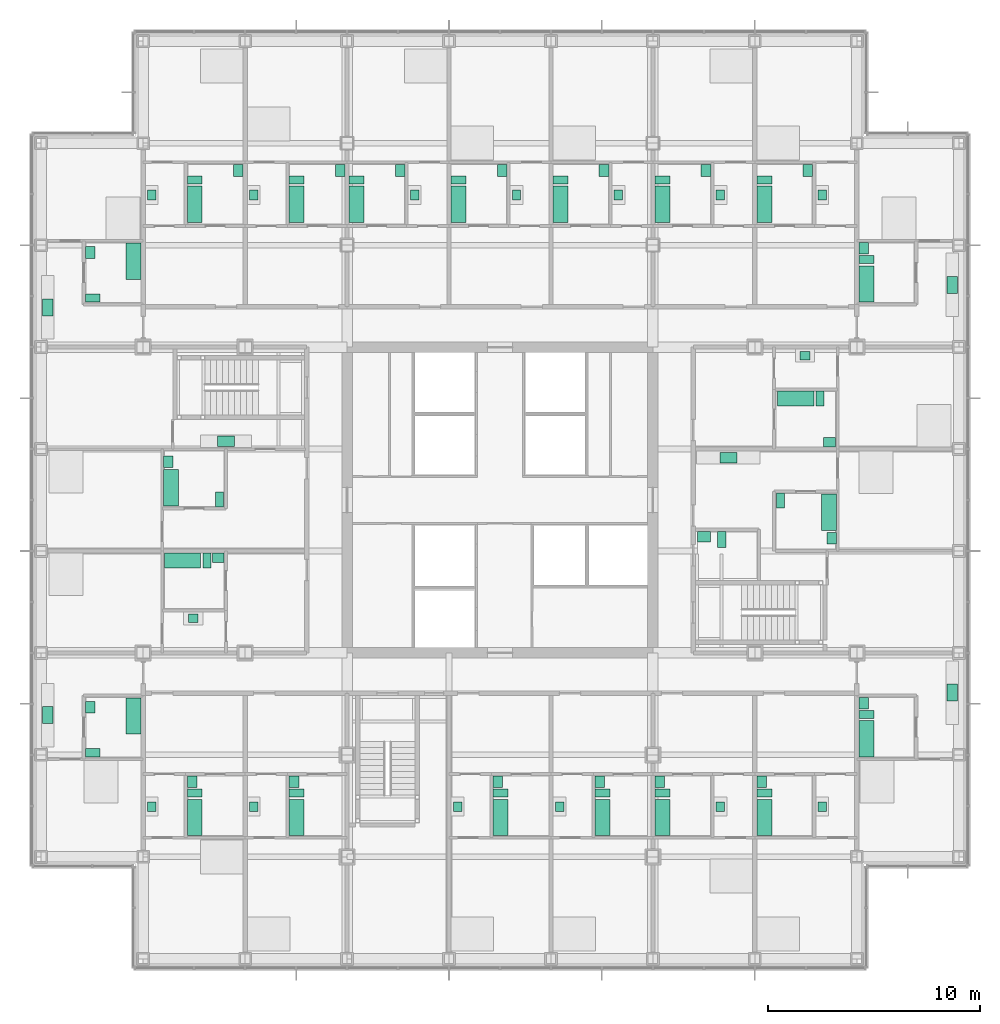
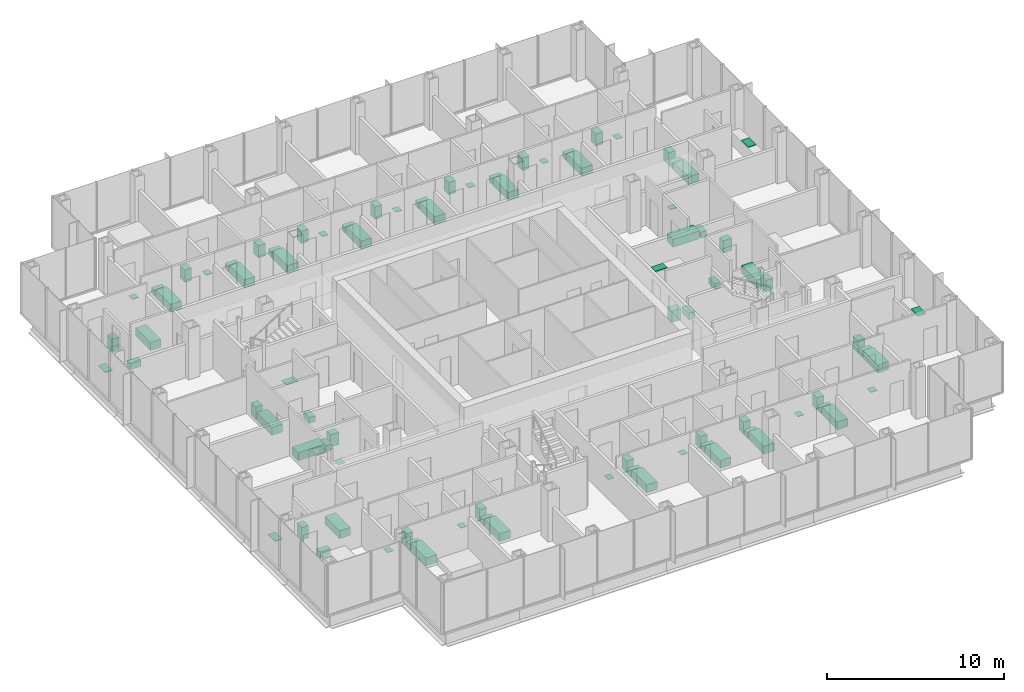
# One storey, part 21 of 22: 86 sanitary terminals.
"""IFC4 building model written with IfcOpenShell, lengths in metres."""

from ifc_helpers import new_model, si_unit, direction, frame, origin, origin_2d, place, context, subcontext, project, spatial, rectangle, extrude, material, type_object, element, save


model = new_model("IFC4")

# Units and contexts
model_context = context("Model", 3, precision=1e-05, world=origin(), true_north=direction((0.0, 1.0)))
body_context = subcontext(model_context, "Body", "Model", "MODEL_VIEW")
ifc_project = project(units=[si_unit("LENGTHUNIT", "METRE"), si_unit("AREAUNIT", "SQUARE_METRE"), si_unit("VOLUMEUNIT", "CUBIC_METRE"), si_unit("PLANEANGLEUNIT", "RADIAN"), si_unit("MASSUNIT", "GRAM", prefix="KILO")], contexts=[model_context])

# Site, building, storey
site_placement = place(None, origin())
site = spatial("IfcSite", under=ifc_project, at=site_placement, CompositionType="ELEMENT")
building_placement = place(site_placement, origin())
building = spatial("IfcBuilding", under=site, at=building_placement, Name="Kvirike Care Tower", CompositionType="ELEMENT")
storey_placement = place(building_placement, frame((0.0, 0.0, 72.5)))
storey = spatial("IfcBuildingStorey", under=building, at=storey_placement, Name="L19", CompositionType="ELEMENT", Elevation=72.5)

# Sanitary terminals
ifc_material_1 = material(Name="Vitreous china", Category="ceramic")
sanitary_terminal_type_1 = type_object("IfcSanitaryTerminalType", Name="ACCESSIBLE WASH BASIN 600 x 500", PredefinedType="WASHHANDBASIN", material=ifc_material_1)
sanitary_terminal_1_placement = place(storey_placement, frame((31.199951171875, 34.27294921875, 0.02001953125), z_axis=(0.0, 0.0, 1.0), x_axis=(1.0, 0.0, 0.0)))
element("IfcSanitaryTerminal", 1, at=sanitary_terminal_1_placement, inside=storey, type_object=sanitary_terminal_type_1, Name="Accessible wash basin L19-076", PredefinedType="WASHHANDBASIN", context=body_context, shape_type="SweptSolid", body=[
    extrude(rectangle(XDim=0.60009765625, YDim=0.5, at=origin_2d()), origin(), (0.0, 0.0, 1.0), 0.800048828125),
])
ifc_material_2 = material(Name="Vitreous china", Category="ceramic")
sanitary_terminal_type_2 = type_object("IfcSanitaryTerminalType", Name="ACCESSIBLE WC PAN 400 x 750", PredefinedType="TOILETPAN", material=ifc_material_2)
sanitary_terminal_2_placement = place(storey_placement, frame((32.050048828125, 34.14794921875, 0.02001953125), z_axis=(0.0, 0.0, 1.0), x_axis=(1.0, 0.0, 0.0)))
element("IfcSanitaryTerminal", 2, at=sanitary_terminal_2_placement, inside=storey, type_object=sanitary_terminal_type_2, Name="Accessible WC pan L19-076", PredefinedType="TOILETPAN", context=body_context, shape_type="SweptSolid", body=[
    extrude(rectangle(XDim=0.39990234375, YDim=0.75, at=origin_2d()), origin(), (0.0, 0.0, 1.0), 0.47998046875),
])
ifc_material_3 = material(Name="Enamelled steel", Category="steel")
sanitary_terminal_type_3 = type_object("IfcSanitaryTerminalType", Name="BATH 1700 x 700", PredefinedType="BATH", material=ifc_material_3)
for number, where, z_axis, x_axis, name in (
    (3, (4.347900390625, 25.824951171875, 0.02001953125), (0.0, 0.0, 1.0), (0.0, -1.0, 0.0), "Bath L19-003"),
    (4, (7.22705078125, 21.06005859375, 0.02001953125), (0.0, 0.0, 1.0), (0.0, 1.0, 0.0), "Bath L19-006"),
    (5, (12.027099609375, 21.06005859375, 0.02001953125), (0.0, 0.0, 1.0), (0.0, 1.0, 0.0), "Bath L19-010"),
    (6, (6.112060546875, 36.574951171875, 0.02001953125), (0.0, 0.0, 1.0), (0.0, 1.0, 0.0), "Bath L19-017"),
    (7, (6.659912109375, 33.14794921875, 0.02001953125), (0.0, 0.0, 1.0), (1.0, 0.0, 0.0), "Bath L19-021"),
    (8, (12.027099609375, 49.925048828125, 0.02001953125), (0.0, 0.0, 1.0), (0.0, 1.0, 0.0), "Bath L19-026"),
    (9, (7.22705078125, 49.925048828125, 0.02001953125), (0.0, 0.0, 1.0), (0.0, 1.0, 0.0), "Bath L19-030"),
    (10, (4.347900390625, 47.239990234375, 0.02001953125), (0.0, 0.0, 1.0), (0.0, -1.0, 0.0), "Bath L19-034"),
    (11, (21.626953125, 21.06005859375, 0.02001953125), (0.0, 0.0, 1.0), (0.0, 1.0, 0.0), "Bath L19-040"),
    (12, (26.427001953125, 21.06005859375, 0.02001953125), (0.0, 0.0, 1.0), (0.0, 1.0, 0.0), "Bath L19-044"),
    (13, (24.451904296875, 49.925048828125, 0.02001953125), (0.0, 0.0, 1.0), (0.0, 1.0, 0.0), "Bath L19-049"),
    (14, (19.652099609375, 49.925048828125, 0.02001953125), (0.0, 0.0, 1.0), (0.0, 1.0, 0.0), "Bath L19-053"),
    (15, (14.85205078125, 49.925048828125, 0.02001953125), (0.0, 0.0, 1.0), (0.0, 1.0, 0.0), "Bath L19-057"),
    (16, (29.251953125, 21.06005859375, 0.02001953125), (0.0, 0.0, 1.0), (0.0, 1.0, 0.0), "Bath L19-062"),
    (17, (34.052001953125, 21.06005859375, 0.02001953125), (0.0, 0.0, 1.0), (0.0, 1.0, 0.0), "Bath L19-066"),
    (18, (38.85205078125, 24.760009765625, 0.02001953125), (0.0, 0.0, 1.0), (0.0, 1.0, 0.0), "Bath L19-070"),
    (19, (37.087890625, 35.425048828125, 0.02001953125), (0.0, 0.0, 1.0), (0.0, -1.0, 0.0), "Bath L19-077"),
    (20, (35.52490234375, 40.77294921875, 0.02001953125), (0.0, 0.0, 1.0), (1.0, 0.0, 0.0), "Bath L19-080"),
    (21, (38.85205078125, 46.175048828125, 0.02001953125), (0.0, 0.0, 1.0), (0.0, 1.0, 0.0), "Bath L19-085"),
    (22, (34.052001953125, 49.925048828125, 0.02001953125), (0.0, 0.0, 1.0), (0.0, 1.0, 0.0), "Bath L19-088"),
    (23, (29.251953125, 49.925048828125, 0.02001953125), (0.0, 0.0, 1.0), (0.0, 1.0, 0.0), "Bath L19-092"),
):
    element("IfcSanitaryTerminal", number, at=place(storey_placement, frame(where, z_axis=z_axis, x_axis=x_axis)), inside=storey, type_object=sanitary_terminal_type_3, Name=name, PredefinedType="BATH", context=body_context, shape_type="SweptSolid", body=[
        extrude(rectangle(XDim=1.699951171875, YDim=0.699951171875, at=origin_2d()), origin(), (0.0, 0.0, 1.0), 0.550048828125),
    ])
ifc_material_4 = material(Name="Stainless steel", Category="steel")
sanitary_terminal_type_4 = type_object("IfcSanitaryTerminalType", Name="KITCHEN SINK 450 x 400", PredefinedType="SINK", material=ifc_material_4)
for number, where, z_axis, x_axis, name in (
    (24, (5.201904296875, 21.56005859375, 0.89990234375), (0.0, 0.0, 1.0), (0.0, 1.0, 0.0), "Kitchen sink L19-007"),
    (25, (10.001953125, 21.56005859375, 0.89990234375), (0.0, 0.0, 1.0), (0.0, 1.0, 0.0), "Kitchen sink L19-011"),
    (26, (7.159912109375, 30.423095703125, 0.89990234375), (0.0, 0.0, 1.0), (1.0, 0.0, 0.0), "Kitchen sink L19-022"),
    (27, (10.001953125, 50.360107421875, 0.89990234375), (0.0, 0.0, 1.0), (0.0, 1.0, 0.0), "Kitchen sink L19-027"),
    (28, (5.201904296875, 50.360107421875, 0.89990234375), (0.0, 0.0, 1.0), (0.0, 1.0, 0.0), "Kitchen sink L19-031"),
    (29, (19.60205078125, 21.56005859375, 0.89990234375), (0.0, 0.0, 1.0), (0.0, 1.0, 0.0), "Kitchen sink L19-041"),
    (30, (24.402099609375, 21.56005859375, 0.89990234375), (0.0, 0.0, 1.0), (0.0, 1.0, 0.0), "Kitchen sink L19-045"),
    (31, (27.177001953125, 50.360107421875, 0.89990234375), (0.0, 0.0, 1.0), (0.0, 1.0, 0.0), "Kitchen sink L19-050"),
    (32, (22.376953125, 50.360107421875, 0.89990234375), (0.0, 0.0, 1.0), (0.0, 1.0, 0.0), "Kitchen sink L19-054"),
    (33, (17.576904296875, 50.360107421875, 0.89990234375), (0.0, 0.0, 1.0), (0.0, 1.0, 0.0), "Kitchen sink L19-058"),
    (34, (31.97705078125, 21.56005859375, 0.89990234375), (0.0, 0.0, 1.0), (0.0, 1.0, 0.0), "Kitchen sink L19-063"),
    (35, (36.777099609375, 21.56005859375, 0.89990234375), (0.0, 0.0, 1.0), (0.0, 1.0, 0.0), "Kitchen sink L19-067"),
    (36, (35.9599609375, 42.798095703125, 0.89990234375), (0.0, 0.0, 1.0), (1.0, 0.0, 0.0), "Kitchen sink L19-081"),
    (37, (36.777099609375, 50.360107421875, 0.89990234375), (0.0, 0.0, 1.0), (0.0, 1.0, 0.0), "Kitchen sink L19-089"),
    (38, (31.97705078125, 50.360107421875, 0.89990234375), (0.0, 0.0, 1.0), (0.0, 1.0, 0.0), "Kitchen sink L19-093"),
):
    element("IfcSanitaryTerminal", number, at=place(storey_placement, frame(where, z_axis=z_axis, x_axis=x_axis)), inside=storey, type_object=sanitary_terminal_type_4, Name=name, PredefinedType="SINK", context=body_context, shape_type="SweptSolid", body=[
        extrude(rectangle(XDim=0.449951171875, YDim=0.39990234375, at=origin_2d()), origin(), (0.0, 0.0, 1.0), 0.030029296875),
    ])
ifc_material_5 = material(Name="Stainless steel", Category="steel")
sanitary_terminal_type_5 = type_object("IfcSanitaryTerminalType", Name="KITCHEN SINK 800 x 500", PredefinedType="SINK", material=ifc_material_5)
for number, where, z_axis, x_axis, name in (
    (39, (0.302001953125, 25.8701171875, 0.89990234375), (0.0, 0.0, 1.0), (0.0, 1.0, 0.0), "Kitchen sink L19-004"),
    (40, (8.699951171875, 38.761962890625, 0.89990234375), (0.0, 0.0, 1.0), (-1.0, 0.0, 0.0), "Kitchen sink L19-018"),
    (41, (0.302001953125, 45.070068359375, 0.89990234375), (0.0, 0.0, 1.0), (0.0, 1.0, 0.0), "Kitchen sink L19-035"),
    (42, (42.89794921875, 26.929931640625, 0.89990234375), (0.0, 0.0, 1.0), (0.0, -1.0, 0.0), "Kitchen sink L19-071"),
    (43, (32.35009765625, 37.998046875, 0.89990234375), (0.0, 0.0, 1.0), (1.0, 0.0, 0.0), "Kitchen sink L19-078"),
    (44, (42.89794921875, 46.1298828125, 0.89990234375), (0.0, 0.0, 1.0), (0.0, -1.0, 0.0), "Kitchen sink L19-086"),
):
    element("IfcSanitaryTerminal", number, at=place(storey_placement, frame(where, z_axis=z_axis, x_axis=x_axis)), inside=storey, type_object=sanitary_terminal_type_5, Name=name, PredefinedType="SINK", context=body_context, shape_type="SweptSolid", body=[
        extrude(rectangle(XDim=0.800048828125, YDim=0.5, at=origin_2d()), origin(), (0.0, 0.0, 1.0), 0.030029296875),
    ])
ifc_material_6 = material(Name="Vitreous china", Category="ceramic")
sanitary_terminal_type_6 = type_object("IfcSanitaryTerminalType", Name="WASH BASIN 550 x 450", PredefinedType="WASHHANDBASIN", material=ifc_material_6)
for number, where, z_axis, x_axis, name in (
    (45, (2.302001953125, 26.235107421875, 0.02001953125), (0.0, 0.0, 1.0), (0.0, 1.0, 0.0), "Wash basin L19-003"),
    (46, (7.10205078125, 22.735107421875, 0.02001953125), (0.0, 0.0, 1.0), (0.0, 1.0, 0.0), "Wash basin L19-006"),
    (47, (11.902099609375, 22.735107421875, 0.02001953125), (0.0, 0.0, 1.0), (0.0, 1.0, 0.0), "Wash basin L19-010"),
    (48, (5.987060546875, 37.800048828125, 0.02001953125), (0.0, 0.0, 1.0), (0.0, 1.0, 0.0), "Wash basin L19-017"),
    (49, (8.3349609375, 33.27294921875, 0.02001953125), (0.0, 0.0, 1.0), (1.0, 0.0, 0.0), "Wash basin L19-021"),
    (50, (14.072998046875, 51.514892578125, 0.02001953125), (0.0, 0.0, 1.0), (0.0, -1.0, 0.0), "Wash basin L19-026"),
    (51, (9.27294921875, 51.514892578125, 0.02001953125), (0.0, 0.0, 1.0), (0.0, -1.0, 0.0), "Wash basin L19-030"),
    (52, (2.302001953125, 47.64990234375, 0.02001953125), (0.0, 0.0, 1.0), (0.0, 1.0, 0.0), "Wash basin L19-034"),
    (53, (21.501953125, 22.735107421875, 0.02001953125), (0.0, 0.0, 1.0), (0.0, 1.0, 0.0), "Wash basin L19-040"),
    (54, (26.302001953125, 22.735107421875, 0.02001953125), (0.0, 0.0, 1.0), (0.0, 1.0, 0.0), "Wash basin L19-044"),
    (55, (26.498046875, 51.514892578125, 0.02001953125), (0.0, 0.0, 1.0), (0.0, -1.0, 0.0), "Wash basin L19-049"),
    (56, (21.697998046875, 51.514892578125, 0.02001953125), (0.0, 0.0, 1.0), (0.0, -1.0, 0.0), "Wash basin L19-053"),
    (57, (16.89794921875, 51.514892578125, 0.02001953125), (0.0, 0.0, 1.0), (0.0, -1.0, 0.0), "Wash basin L19-057"),
    (58, (29.126953125, 22.735107421875, 0.02001953125), (0.0, 0.0, 1.0), (0.0, 1.0, 0.0), "Wash basin L19-062"),
    (59, (33.927001953125, 22.735107421875, 0.02001953125), (0.0, 0.0, 1.0), (0.0, 1.0, 0.0), "Wash basin L19-066"),
    (60, (38.72705078125, 26.43505859375, 0.02001953125), (0.0, 0.0, 1.0), (0.0, 1.0, 0.0), "Wash basin L19-070"),
    (61, (37.212890625, 34.199951171875, 0.02001953125), (0.0, 0.0, 1.0), (0.0, -1.0, 0.0), "Wash basin L19-077"),
    (62, (37.114990234375, 38.72705078125, 0.02001953125), (0.0, 0.0, 1.0), (-1.0, 0.0, 0.0), "Wash basin L19-080"),
    (63, (38.72705078125, 47.85009765625, 0.02001953125), (0.0, 0.0, 1.0), (0.0, 1.0, 0.0), "Wash basin L19-085"),
    (64, (36.097900390625, 51.514892578125, 0.02001953125), (0.0, 0.0, 1.0), (0.0, -1.0, 0.0), "Wash basin L19-088"),
    (65, (31.298095703125, 51.514892578125, 0.02001953125), (0.0, 0.0, 1.0), (0.0, -1.0, 0.0), "Wash basin L19-092"),
):
    element("IfcSanitaryTerminal", number, at=place(storey_placement, frame(where, z_axis=z_axis, x_axis=x_axis)), inside=storey, type_object=sanitary_terminal_type_6, Name=name, PredefinedType="WASHHANDBASIN", context=body_context, shape_type="SweptSolid", body=[
        extrude(rectangle(XDim=0.550048828125, YDim=0.449951171875, at=origin_2d()), origin(), (0.0, 0.0, 1.0), 0.85009765625),
    ])
ifc_material_7 = material(Name="Vitreous china", Category="ceramic")
sanitary_terminal_type_7 = type_object("IfcSanitaryTerminalType", Name="WC PAN 380 x 700", PredefinedType="TOILETPAN", material=ifc_material_7)
for number, where, z_axis, x_axis, name in (
    (66, (2.427001953125, 24.10009765625, 0.02001953125), (0.0, 0.0, 1.0), (0.0, 1.0, 0.0), "WC pan L19-003"),
    (67, (7.22705078125, 22.199951171875, 0.02001953125), (0.0, 0.0, 1.0), (0.0, 1.0, 0.0), "WC pan L19-006"),
    (68, (12.027099609375, 22.199951171875, 0.02001953125), (0.0, 0.0, 1.0), (0.0, 1.0, 0.0), "WC pan L19-010"),
    (69, (8.385009765625, 36.027099609375, 0.02001953125), (0.0, 0.0, 1.0), (-1.0, 0.0, 0.0), "WC pan L19-017"),
    (70, (7.800048828125, 33.14794921875, 0.02001953125), (0.0, 0.0, 1.0), (1.0, 0.0, 0.0), "WC pan L19-021"),
    (71, (12.027099609375, 51.06494140625, 0.02001953125), (0.0, 0.0, 1.0), (0.0, 1.0, 0.0), "WC pan L19-026"),
    (72, (7.22705078125, 51.06494140625, 0.02001953125), (0.0, 0.0, 1.0), (0.0, 1.0, 0.0), "WC pan L19-030"),
    (73, (2.427001953125, 45.514892578125, 0.02001953125), (0.0, 0.0, 1.0), (0.0, 1.0, 0.0), "WC pan L19-034"),
    (74, (21.626953125, 22.199951171875, 0.02001953125), (0.0, 0.0, 1.0), (0.0, 1.0, 0.0), "WC pan L19-040"),
    (75, (26.427001953125, 22.199951171875, 0.02001953125), (0.0, 0.0, 1.0), (0.0, 1.0, 0.0), "WC pan L19-044"),
    (76, (24.451904296875, 51.06494140625, 0.02001953125), (0.0, 0.0, 1.0), (0.0, 1.0, 0.0), "WC pan L19-049"),
    (77, (19.652099609375, 51.06494140625, 0.02001953125), (0.0, 0.0, 1.0), (0.0, 1.0, 0.0), "WC pan L19-053"),
    (78, (14.85205078125, 51.06494140625, 0.02001953125), (0.0, 0.0, 1.0), (0.0, 1.0, 0.0), "WC pan L19-057"),
    (79, (29.251953125, 22.199951171875, 0.02001953125), (0.0, 0.0, 1.0), (0.0, 1.0, 0.0), "WC pan L19-062"),
    (80, (34.052001953125, 22.199951171875, 0.02001953125), (0.0, 0.0, 1.0), (0.0, 1.0, 0.0), "WC pan L19-066"),
    (81, (38.85205078125, 25.89990234375, 0.02001953125), (0.0, 0.0, 1.0), (0.0, 1.0, 0.0), "WC pan L19-070"),
    (82, (34.81494140625, 35.972900390625, 0.02001953125), (0.0, 0.0, 1.0), (1.0, 0.0, 0.0), "WC pan L19-077"),
    (83, (36.6650390625, 40.77294921875, 0.02001953125), (0.0, 0.0, 1.0), (1.0, 0.0, 0.0), "WC pan L19-080"),
    (84, (38.85205078125, 47.31494140625, 0.02001953125), (0.0, 0.0, 1.0), (0.0, 1.0, 0.0), "WC pan L19-085"),
    (85, (34.052001953125, 51.06494140625, 0.02001953125), (0.0, 0.0, 1.0), (0.0, 1.0, 0.0), "WC pan L19-088"),
    (86, (29.251953125, 51.06494140625, 0.02001953125), (0.0, 0.0, 1.0), (0.0, 1.0, 0.0), "WC pan L19-092"),
):
    element("IfcSanitaryTerminal", number, at=place(storey_placement, frame(where, z_axis=z_axis, x_axis=x_axis)), inside=storey, type_object=sanitary_terminal_type_7, Name=name, PredefinedType="TOILETPAN", context=body_context, shape_type="SweptSolid", body=[
        extrude(rectangle(XDim=0.3798828125, YDim=0.699951171875, at=origin_2d()), origin(), (0.0, 0.0, 1.0), 0.39990234375),
    ])

save(model, "model.ifc")
